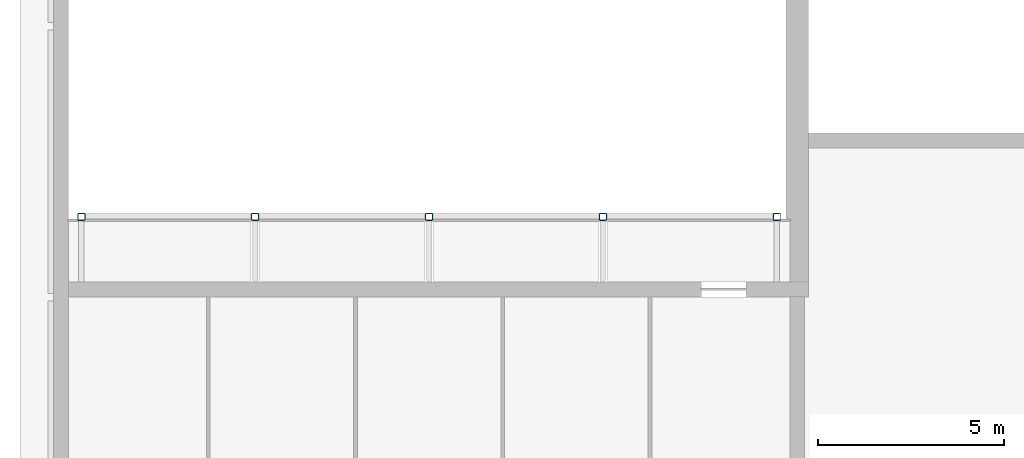
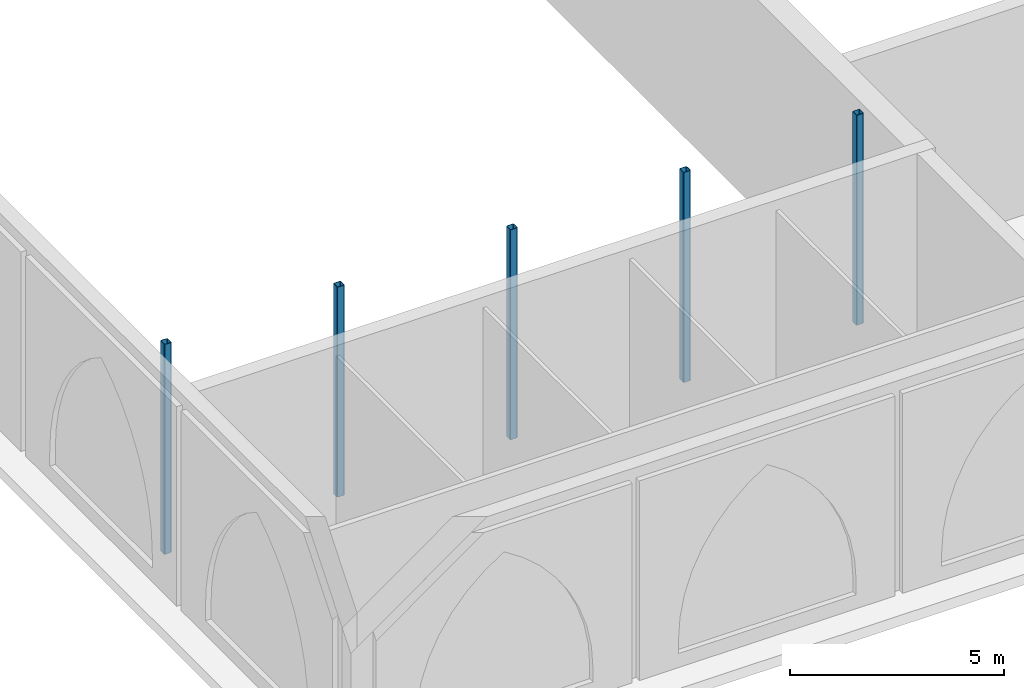
# One storey, part 1 of 74: 5 columns.
"""IFC4 building model written with IfcOpenShell, lengths in metres."""

from ifc_helpers import new_model, si_unit, direction, frame, origin, origin_2d, place, context, subcontext, project, spatial, hollow_rectangle, extrude, material, material_profile, profile_set, type_object, element, save


model = new_model("IFC4")

# Units and contexts
model_context = context("Model", 3, precision=1e-05, world=origin(), true_north=direction((0.0, 1.0)))
body_context = subcontext(model_context, "Body", "Model", "MODEL_VIEW")
ifc_project = project(units=[si_unit("LENGTHUNIT", "METRE"), si_unit("AREAUNIT", "SQUARE_METRE"), si_unit("VOLUMEUNIT", "CUBIC_METRE"), si_unit("PLANEANGLEUNIT", "RADIAN"), si_unit("MASSUNIT", "GRAM", prefix="KILO")], contexts=[model_context])

# Site, building, storey
site_placement = place(None, origin())
site = spatial("IfcSite", under=ifc_project, at=site_placement, CompositionType="ELEMENT")
building_placement = place(site_placement, origin())
building = spatial("IfcBuilding", under=site, at=building_placement, Name="Noorbagh Ring Tower", CompositionType="ELEMENT")
storey_placement = place(building_placement, frame((0.0, 0.0, 7.5)))
storey = spatial("IfcBuildingStorey", under=building, at=storey_placement, Name="L01", CompositionType="ELEMENT", Elevation=7.5)

# Columns
ifc_material = material(Name="Steel S355", Category="steel")
ifc_material_profile = material_profile(ifc_material, hollow_rectangle(XDim=0.199951171875, YDim=0.199951171875, WallThickness=0.012451171875, InnerFilletRadius=0.012451171875, OuterFilletRadius=0.03125, at=origin_2d()), Name="SHS200x200x12.5")
ifc_profile_set = profile_set([ifc_material_profile], Name="Steel S355")
column_type = type_object("IfcColumnType", Name="TH-COL-POST", PredefinedType="COLUMN", material=ifc_profile_set)
for number, where, z_axis, x_axis, name in (
    (1, (-159.25, -11.050048828125, 0.0), (0.0, 0.0, 1.0), (1.0, 0.0, 0.0), "L01/th-col/gal-S0"),
    (2, (-154.574951171875, -11.050048828125, 0.0), (0.0, 0.0, 1.0), (1.0, 0.0, 0.0), "L01/th-col/gal-S1"),
    (3, (-149.89990234375, -11.050048828125, 0.0), (0.0, 0.0, 1.0), (1.0, 0.0, 0.0), "L01/th-col/gal-S2"),
    (4, (-145.22509765625, -11.050048828125, 0.0), (0.0, 0.0, 1.0), (1.0, 0.0, 0.0), "L01/th-col/gal-S3"),
    (5, (-140.550048828125, -11.050048828125, 0.0), (0.0, 0.0, 1.0), (1.0, 0.0, 0.0), "L01/th-col/gal-S4"),
):
    element("IfcColumn", number, at=place(storey_placement, frame(where, z_axis=z_axis, x_axis=x_axis)), inside=storey, type_object=column_type, Name=name, PredefinedType="COLUMN", context=body_context, shape_type="SweptSolid", body=[
        extrude(hollow_rectangle(XDim=0.199951171875, YDim=0.199951171875, WallThickness=0.012451171875, InnerFilletRadius=0.012451171875, OuterFilletRadius=0.03125, at=origin_2d()), origin(), (0.0, 0.0, 1.0), 6.0),
    ])

save(model, "model.ifc")
